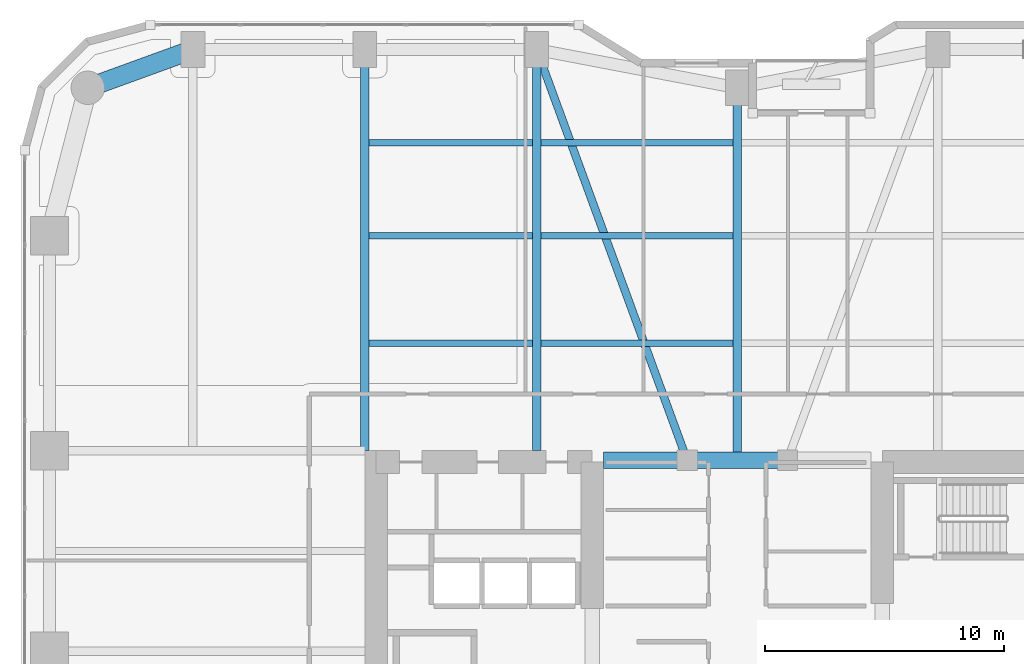
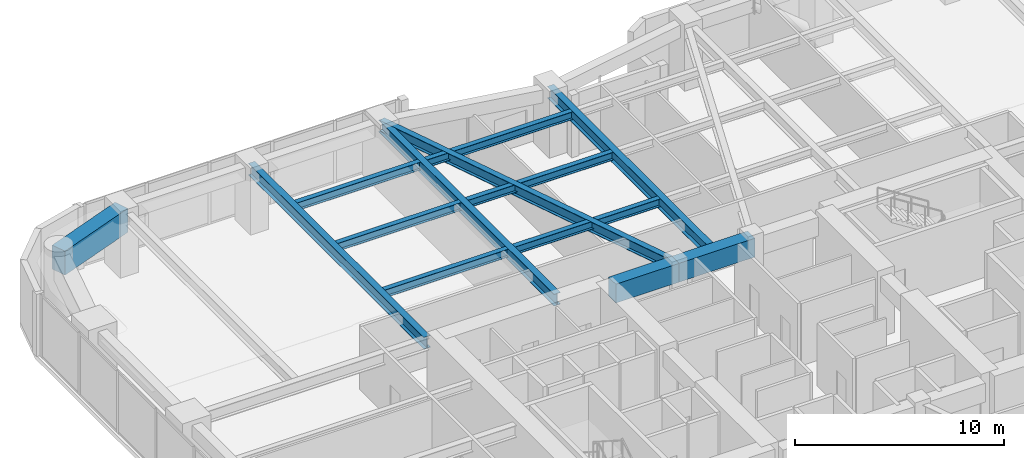
# One storey, part 15 of 28: 13 beams.
"""IFC4 building model written with IfcOpenShell, lengths in metres."""

from ifc_helpers import new_model, si_unit, direction, frame, origin, origin_2d, place, context, subcontext, project, spatial, rectangle, i_section, extrude, material, material_profile, profile_set, type_object, element, save


model = new_model("IFC4")

# Units and contexts
model_context = context("Model", 3, precision=1e-05, world=origin(), true_north=direction((0.0, 1.0)))
body_context = subcontext(model_context, "Body", "Model", "MODEL_VIEW")
ifc_project = project(units=[si_unit("LENGTHUNIT", "METRE"), si_unit("AREAUNIT", "SQUARE_METRE"), si_unit("VOLUMEUNIT", "CUBIC_METRE"), si_unit("PLANEANGLEUNIT", "RADIAN"), si_unit("MASSUNIT", "GRAM", prefix="KILO")], contexts=[model_context])

# Site, building, storey
site_placement = place(None, origin())
site = spatial("IfcSite", under=ifc_project, at=site_placement, CompositionType="ELEMENT")
building_placement = place(site_placement, origin())
building = spatial("IfcBuilding", under=site, at=building_placement, Name="Kiyonajd Concourse Tower", CompositionType="ELEMENT")
storey_placement = place(building_placement, frame((0.0, 0.0, 37.199951171875)))
storey = spatial("IfcBuildingStorey", under=building, at=storey_placement, Name="L10", CompositionType="ELEMENT", Elevation=37.199951171875)

# Beams
ifc_material_1 = material(Name="Concrete C70/85", Category="concrete")
ifc_material_profile_1 = material_profile(ifc_material_1, rectangle(XDim=0.699951171875, YDim=1.10009765625, at=origin_2d()), Name="RCBM-700x1100")
ifc_profile_set_1 = profile_set([ifc_material_profile_1], Name="Concrete C70/85")
beam_type_1 = type_object("IfcBeamType", Name="BM-COUP-1100", PredefinedType="LINTEL", material=ifc_profile_set_1)
beam_1_placement = place(storey_placement, frame((42.39990234375, 44.0, 3.090087890625), z_axis=(1.0, 0.0, 0.0), x_axis=(0.0, 1.0, 0.0)))
element("IfcBeam", 1, at=beam_1_placement, inside=storey, type_object=beam_type_1, Name="L10 Core Coupling Beam N1", PredefinedType="LINTEL", context=body_context, shape_type="SweptSolid", body=[
    extrude(rectangle(XDim=0.699951171875, YDim=1.10009765625, at=origin_2d()), origin(), (0.0, 0.0, 1.0), 3.5),
])
beam_2_placement = place(storey_placement, frame((45.89990234375, 44.0, 3.090087890625), z_axis=(1.0, 0.0, 0.0), x_axis=(0.0, 1.0, 0.0)))
element("IfcBeam", 2, at=beam_2_placement, inside=storey, type_object=beam_type_1, Name="L10 Core Coupling Beam N2", PredefinedType="LINTEL", context=body_context, shape_type="SweptSolid", body=[
    extrude(rectangle(XDim=0.699951171875, YDim=1.10009765625, at=origin_2d()), origin(), (0.0, 0.0, 1.0), 4.2001953125),
])
ifc_material_2 = material(Name="Steel ASTM A992 Grade 50", Category="steel")
ifc_material_profile_2 = material_profile(ifc_material_2, i_section(OverallWidth=0.280029296875, OverallDepth=0.462890625, WebThickness=0.0107421875, FlangeThickness=0.017333984375, at=origin_2d()), Name="W460X113")
ifc_profile_set_2 = profile_set([ifc_material_profile_2], Name="Steel ASTM A992 Grade 50")
beam_type_2 = type_object("IfcBeamType", Name="BM-JST-460A", PredefinedType="JOIST", material=ifc_profile_set_2)
beam_3_placement = place(storey_placement, frame((32.577392578125, 48.89990234375, 3.408447265625), z_axis=(1.0, 0.0, 0.0), x_axis=(0.0, 1.0, 0.0)))
element("IfcBeam", 3, at=beam_3_placement, inside=storey, type_object=beam_type_2, Name="L10 Secondary Floor Joist", PredefinedType="JOIST", context=body_context, shape_type="SweptSolid", body=[
    extrude(i_section(OverallWidth=0.280029296875, OverallDepth=0.462890625, WebThickness=0.0107421875, FlangeThickness=0.017333984375, at=origin_2d()), origin(), (0.0, 0.0, 1.0), 6.84521484375),
])
beam_4_placement = place(storey_placement, frame((39.777587890625, 48.89990234375, 3.408447265625), z_axis=(1.0, 0.0, 0.0), x_axis=(0.0, 1.0, 0.0)))
element("IfcBeam", 4, at=beam_4_placement, inside=storey, type_object=beam_type_2, Name="L10 Secondary Floor Joist", PredefinedType="JOIST", context=body_context, shape_type="SweptSolid", body=[
    extrude(i_section(OverallWidth=0.280029296875, OverallDepth=0.462890625, WebThickness=0.0107421875, FlangeThickness=0.017333984375, at=origin_2d()), origin(), (0.0, 0.0, 1.0), 8.044921875),
])
beam_5_placement = place(storey_placement, frame((32.577392578125, 53.39990234375, 3.408447265625), z_axis=(1.0, 0.0, 0.0), x_axis=(0.0, 1.0, 0.0)))
element("IfcBeam", 5, at=beam_5_placement, inside=storey, type_object=beam_type_2, Name="L10 Secondary Floor Joist", PredefinedType="JOIST", context=body_context, shape_type="SweptSolid", body=[
    extrude(i_section(OverallWidth=0.280029296875, OverallDepth=0.462890625, WebThickness=0.0107421875, FlangeThickness=0.017333984375, at=origin_2d()), origin(), (0.0, 0.0, 1.0), 6.84521484375),
])
beam_6_placement = place(storey_placement, frame((39.777587890625, 53.39990234375, 3.408447265625), z_axis=(1.0, 0.0, 0.0), x_axis=(0.0, 1.0, 0.0)))
element("IfcBeam", 6, at=beam_6_placement, inside=storey, type_object=beam_type_2, Name="L10 Secondary Floor Joist", PredefinedType="JOIST", context=body_context, shape_type="SweptSolid", body=[
    extrude(i_section(OverallWidth=0.280029296875, OverallDepth=0.462890625, WebThickness=0.0107421875, FlangeThickness=0.017333984375, at=origin_2d()), origin(), (0.0, 0.0, 1.0), 8.044921875),
])
beam_7_placement = place(storey_placement, frame((32.577392578125, 57.300048828125, 3.408447265625), z_axis=(1.0, 0.0, 0.0), x_axis=(0.0, 1.0, 0.0)))
element("IfcBeam", 7, at=beam_7_placement, inside=storey, type_object=beam_type_2, Name="L10 Secondary Floor Joist", PredefinedType="JOIST", context=body_context, shape_type="SweptSolid", body=[
    extrude(i_section(OverallWidth=0.280029296875, OverallDepth=0.462890625, WebThickness=0.0107421875, FlangeThickness=0.017333984375, at=origin_2d()), origin(), (0.0, 0.0, 1.0), 6.84521484375),
])
beam_8_placement = place(storey_placement, frame((39.777587890625, 57.300048828125, 3.408447265625), z_axis=(1.0, 0.0, 0.0), x_axis=(0.0, 1.0, 0.0)))
element("IfcBeam", 8, at=beam_8_placement, inside=storey, type_object=beam_type_2, Name="L10 Secondary Floor Joist", PredefinedType="JOIST", context=body_context, shape_type="SweptSolid", body=[
    extrude(i_section(OverallWidth=0.280029296875, OverallDepth=0.462890625, WebThickness=0.0107421875, FlangeThickness=0.017333984375, at=origin_2d()), origin(), (0.0, 0.0, 1.0), 8.044921875),
])
ifc_material_profile_3 = material_profile(ifc_material_2, i_section(OverallWidth=0.326904296875, OverallDepth=0.6220703125, WebThickness=0.015380859375, FlangeThickness=0.0244140625, at=origin_2d()), Name="W610X195")
ifc_profile_set_3 = profile_set([ifc_material_profile_3], Name="Steel ASTM A992 Grade 50")
beam_type_3 = type_object("IfcBeamType", Name="BM-TWR-610A", PredefinedType="BEAM", material=ifc_profile_set_3)
beam_9_placement = place(storey_placement, frame((39.60009765625, 61.199951171875, 3.3291015625), z_axis=(0.343925269715, -0.938997022813, 0.0), x_axis=(0.938997022813, 0.343925269715, 0.0)))
element("IfcBeam", 9, at=beam_9_placement, inside=storey, type_object=beam_type_3, Name="L10 Core Tie Girder", PredefinedType="BEAM", context=body_context, shape_type="SweptSolid", body=[
    extrude(i_section(OverallWidth=0.326904296875, OverallDepth=0.6220703125, WebThickness=0.015380859375, FlangeThickness=0.0244140625, at=origin_2d()), origin(), (0.0, 0.0, 1.0), 18.3173828125),
])
ifc_material_profile_4 = material_profile(ifc_material_2, i_section(OverallWidth=0.35498046875, OverallDepth=0.695068359375, WebThickness=0.015380859375, FlangeThickness=0.02490234375, at=origin_2d()), Name="W690X217")
ifc_profile_set_4 = profile_set([ifc_material_profile_4], Name="Steel ASTM A992 Grade 50")
beam_type_4 = type_object("IfcBeamType", Name="BM-TWR-690", PredefinedType="BEAM", material=ifc_profile_set_4)
for number, where, z_axis, x_axis, name in (
    (10, (32.39990234375, 44.39990234375, 3.29248046875), (0.0, 1.0, 0.0), (-1.0, 0.0, 0.0), "L10 North Lease Girder"),
    (11, (39.60009765625, 44.39990234375, 3.29248046875), (0.0, 1.0, 0.0), (-1.0, 0.0, 0.0), "L10 North Lease Girder"),
):
    element("IfcBeam", number, at=place(storey_placement, frame(where, z_axis=z_axis, x_axis=x_axis)), inside=storey, type_object=beam_type_4, Name=name, PredefinedType="BEAM", context=body_context, shape_type="SweptSolid", body=[
        extrude(i_section(OverallWidth=0.35498046875, OverallDepth=0.695068359375, WebThickness=0.015380859375, FlangeThickness=0.02490234375, at=origin_2d()), origin(), (0.0, 0.0, 1.0), 16.800048828125),
    ])
beam_10_placement = place(storey_placement, frame((48.0, 44.0, 3.29248046875), z_axis=(0.0, 1.0, 0.0), x_axis=(-1.0, 0.0, 0.0)))
element("IfcBeam", 12, at=beam_10_placement, inside=storey, type_object=beam_type_4, Name="L10 North Ribbon Girder", PredefinedType="BEAM", context=body_context, shape_type="SweptSolid", body=[
    extrude(i_section(OverallWidth=0.35498046875, OverallDepth=0.695068359375, WebThickness=0.015380859375, FlangeThickness=0.02490234375, at=origin_2d()), origin(), (0.0, 0.0, 1.0), 15.60009765625),
])
ifc_material_3 = material(Name="Concrete C60/75", Category="concrete")
ifc_material_profile_5 = material_profile(ifc_material_3, rectangle(XDim=0.800048828125, YDim=1.39990234375, at=origin_2d()), Name="RCBM-800x1400")
ifc_profile_set_5 = profile_set([ifc_material_profile_5], Name="Concrete C60/75")
beam_type_5 = type_object("IfcBeamType", Name="BM-XFER-RC", PredefinedType="BEAM", material=ifc_profile_set_5)
beam_11_placement = place(storey_placement, frame((25.199951171875, 61.199951171875, 2.93994140625), z_axis=(-0.939801036019, -0.341722127901, 0.0), x_axis=(0.341722127901, -0.939801036019, 0.0)))
element("IfcBeam", 13, at=beam_11_placement, inside=storey, type_object=beam_type_5, Name="L10 Perimeter Bundled Tube Spandrel", PredefinedType="BEAM", context=body_context, shape_type="SweptSolid", body=[
    extrude(rectangle(XDim=0.800048828125, YDim=1.39990234375, at=origin_2d()), origin(), (0.0, 0.0, 1.0), 4.681640625),
])

save(model, "model.ifc")
